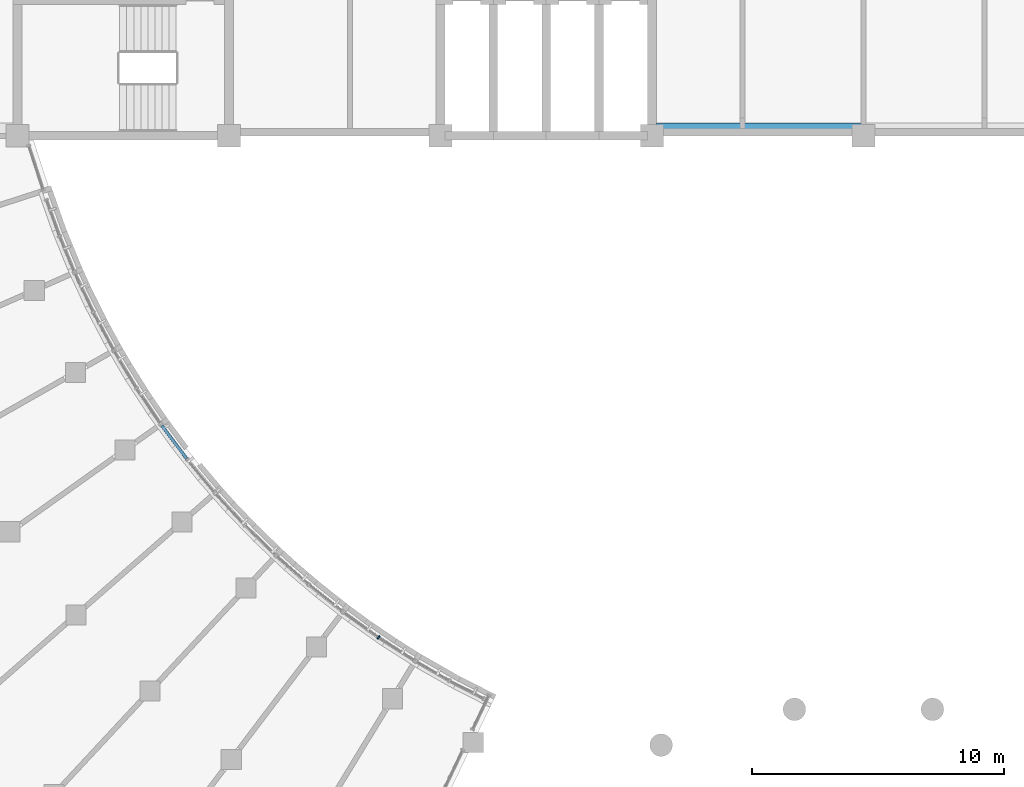
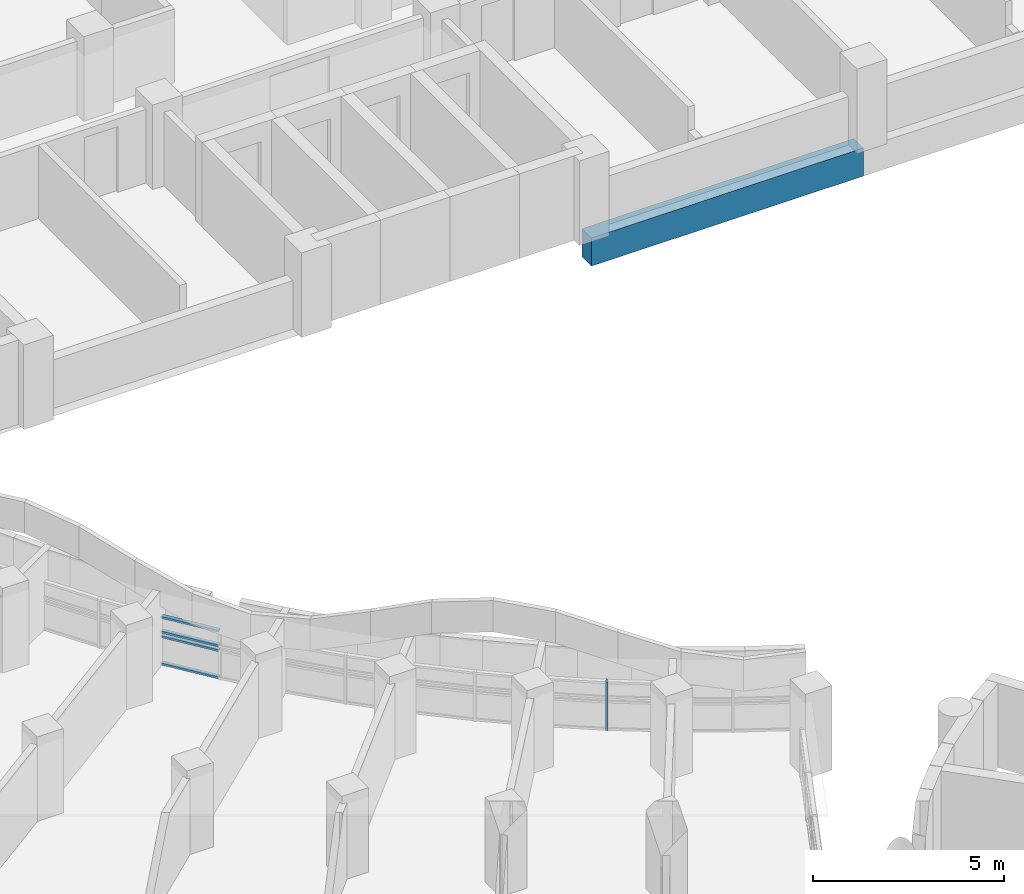
# One storey, part 17 of 89: 5 members, 1 beam, 2 elements without a shape of their own.
"""IFC4 building model written with IfcOpenShell, lengths in metres."""

from ifc_helpers import new_model, si_unit, direction, frame, origin, origin_2d, place, context, subcontext, project, spatial, rectangle, extrude, material, material_profile, profile_set, type_object, element, aggregate, save


model = new_model("IFC4")

# Units and contexts
model_context = context("Model", 3, precision=1e-05, world=origin(), true_north=direction((0.0, 1.0)))
body_context = subcontext(model_context, "Body", "Model", "MODEL_VIEW")
ifc_project = project(units=[si_unit("LENGTHUNIT", "METRE"), si_unit("AREAUNIT", "SQUARE_METRE"), si_unit("VOLUMEUNIT", "CUBIC_METRE"), si_unit("PLANEANGLEUNIT", "RADIAN"), si_unit("MASSUNIT", "GRAM", prefix="KILO")], contexts=[model_context])

# Site, building, storey
site_placement = place(None, origin())
site = spatial("IfcSite", under=ifc_project, at=site_placement, CompositionType="ELEMENT")
building_placement = place(site_placement, origin())
building = spatial("IfcBuilding", under=site, at=building_placement, Name="Bougainvillea Quay General Hospital", CompositionType="ELEMENT")
storey_placement = place(building_placement, frame((0.0, 0.0, 9.89990234375)))
storey = spatial("IfcBuildingStorey", under=building, at=storey_placement, Name="L01M", CompositionType="ELEMENT", Elevation=9.89990234375)

# Curtain wall, member
ifc_material_1 = material(Name="Aluminium curtain wall system, powder-coated glazed", Category="aluminium")
curtain_wall_type = type_object("IfcCurtainWallType", Name="Unitised curtain wall CW-2100", PredefinedType="NOTDEFINED", material=ifc_material_1)
curtain_wall_1_placement = place(storey_placement, origin())
curtain_wall_1 = element("IfcCurtainWall", 1, at=curtain_wall_1_placement, inside=storey, type_object=curtain_wall_type, Name="CW-W02 a03b1", PredefinedType="NOTDEFINED")
ifc_material_2 = material(Name="Aluminium mullion, powder-coated charcoal", Category="aluminium")
ifc_material_profile_1 = material_profile(ifc_material_2, rectangle(XDim=0.159912109375, YDim=0.06005859375, at=origin_2d()))
ifc_profile_set_1 = profile_set([ifc_material_profile_1], Name="Aluminium mullion, powder-coated charcoal")
member_type_1 = type_object("IfcMemberType", Name="Curtain wall mullion 160x60", PredefinedType="MULLION", material=ifc_profile_set_1)
member_1_placement = place(storey_placement, frame((89.939697265625, 97.6787109375, 0.0), z_axis=(0.0, 0.0, 1.0), x_axis=(-0.562343185136, -0.826903949762, 0.0)))
member_1 = element("IfcMember", 2, at=member_1_placement, type_object=member_type_1, Name="CW-W02 mullion 2", PredefinedType="MULLION", context=body_context, shape_type="SweptSolid", body=[
    extrude(rectangle(XDim=0.159912109375, YDim=0.06005859375, at=origin_2d()), origin(), (0.0, 0.0, 1.0), 1.550048828125),
])
aggregate(curtain_wall_1, [member_1])

# Curtain wall, members
curtain_wall_2_placement = place(storey_placement, origin())
curtain_wall_2 = element("IfcCurtainWall", 3, at=curtain_wall_2_placement, inside=storey, type_object=curtain_wall_type, Name="CW-W05 a03b4", PredefinedType="NOTDEFINED")
ifc_material_3 = material(Name="Aluminium transom, powder-coated charcoal", Category="aluminium")
ifc_material_profile_2 = material_profile(ifc_material_3, rectangle(XDim=0.1201171875, YDim=0.06005859375, at=origin_2d()))
ifc_profile_set_2 = profile_set([ifc_material_profile_2], Name="Aluminium transom, powder-coated charcoal")
member_type_2 = type_object("IfcMemberType", Name="Curtain wall transom 120x60", PredefinedType="USERDEFINED", material=ifc_profile_set_2)
member_2_placement = place(storey_placement, frame((82.320556640625, 104.775146484375, 0.030029296875), z_axis=(-0.600355707015, 0.799733096135, 0.0), x_axis=(-0.799733096135, -0.600355707015, 0.0)))
member_2 = element("IfcMember", 4, at=member_2_placement, type_object=member_type_2, Name="CW-W05 transom 2.1", ObjectType="TRANSOM", PredefinedType="USERDEFINED", context=body_context, shape_type="SweptSolid", body=[
    extrude(rectangle(XDim=0.1201171875, YDim=0.06005859375, at=origin_2d()), origin(), (0.0, 0.0, 1.0), 1.64697265625),
])
member_3_placement = place(storey_placement, frame((82.320556640625, 104.775146484375, 0.900146484375), z_axis=(-0.600355707015, 0.799733096135, 0.0), x_axis=(-0.799733096135, -0.600355707015, 0.0)))
member_3 = element("IfcMember", 5, at=member_3_placement, type_object=member_type_2, Name="CW-W05 transom 2.2", ObjectType="TRANSOM", PredefinedType="USERDEFINED", context=body_context, shape_type="SweptSolid", body=[
    extrude(rectangle(XDim=0.1201171875, YDim=0.06005859375, at=origin_2d()), origin(), (0.0, 0.0, 1.0), 1.64697265625),
])
member_4_placement = place(storey_placement, frame((82.320556640625, 104.775146484375, 1.050048828125), z_axis=(-0.600355707015, 0.799733096135, 0.0), x_axis=(-0.799733096135, -0.600355707015, 0.0)))
member_4 = element("IfcMember", 6, at=member_4_placement, type_object=member_type_2, Name="CW-W05 transom 2.3", ObjectType="TRANSOM", PredefinedType="USERDEFINED", context=body_context, shape_type="SweptSolid", body=[
    extrude(rectangle(XDim=0.1201171875, YDim=0.06005859375, at=origin_2d()), origin(), (0.0, 0.0, 1.0), 1.64697265625),
])
member_5_placement = place(storey_placement, frame((82.320556640625, 104.775146484375, 1.52001953125), z_axis=(-0.600355707015, 0.799733096135, 0.0), x_axis=(-0.799733096135, -0.600355707015, 0.0)))
member_5 = element("IfcMember", 7, at=member_5_placement, type_object=member_type_2, Name="CW-W05 transom 2.4", ObjectType="TRANSOM", PredefinedType="USERDEFINED", context=body_context, shape_type="SweptSolid", body=[
    extrude(rectangle(XDim=0.1201171875, YDim=0.06005859375, at=origin_2d()), origin(), (0.0, 0.0, 1.0), 1.64697265625),
])
aggregate(curtain_wall_2, [member_2, member_3, member_4, member_5])

# Beam
ifc_material_4 = material(Name="Concrete C40", Category="concrete")
ifc_material_profile_3 = material_profile(ifc_material_4, rectangle(XDim=0.5, YDim=0.89990234375, at=origin_2d()))
ifc_profile_set_3 = profile_set([ifc_material_profile_3], Name="Concrete C40")
beam_type = type_object("IfcBeamType", Name="RC BEAM 500x900 C40", PredefinedType="BEAM", material=ifc_profile_set_3)
beam_placement = place(storey_placement, frame((100.97509765625, 117.85009765625, -0.699951171875), z_axis=(1.0, 0.0, 0.0), x_axis=(0.0, 1.0, 0.0)))
element("IfcBeam", 8, at=beam_placement, inside=storey, type_object=beam_type, Name="Edge beam L01M", PredefinedType="BEAM", context=body_context, shape_type="SweptSolid", body=[
    extrude(rectangle(XDim=0.5, YDim=0.89990234375, at=origin_2d()), origin(), (0.0, 0.0, 1.0), 8.224853515625),
])

save(model, "model.ifc")
